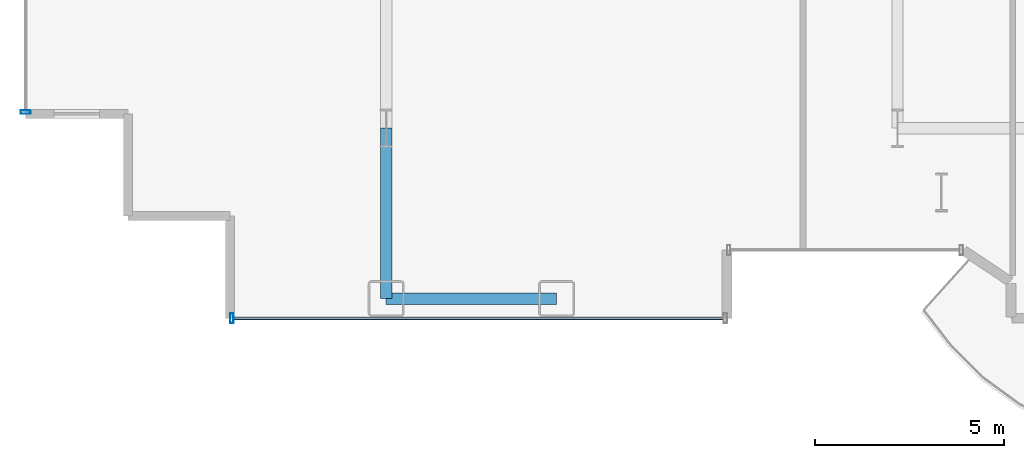
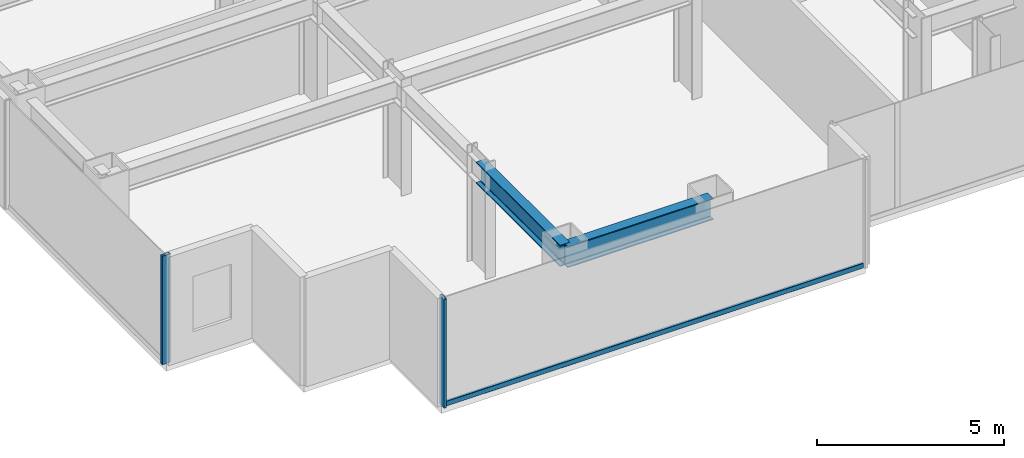
# One storey, part 2 of 29: 3 members, 2 beams, 2 elements without a shape of their own.
"""IFC4 building model written with IfcOpenShell, lengths in metres."""

from ifc_helpers import new_model, si_unit, direction, frame, origin, origin_2d, place, context, subcontext, project, spatial, hollow_rectangle, i_section, extrude, source, transform, mapped, material, layer, layer_set, material_profile, profile_set, type_object, element, aggregate, save


model = new_model("IFC4")

# Units and contexts
model_context = context("Model", 3, precision=1e-05, world=origin(), true_north=direction((0.0, 1.0)))
body_context = subcontext(model_context, "Body", "Model", "MODEL_VIEW")
ifc_project = project(units=[si_unit("LENGTHUNIT", "METRE"), si_unit("AREAUNIT", "SQUARE_METRE"), si_unit("VOLUMEUNIT", "CUBIC_METRE"), si_unit("PLANEANGLEUNIT", "RADIAN"), si_unit("MASSUNIT", "GRAM", prefix="KILO")], contexts=[model_context])

# Site, building, storey
site_placement = place(None, origin())
site = spatial("IfcSite", under=ifc_project, at=site_placement, CompositionType="ELEMENT")
building_placement = place(site_placement, origin())
building = spatial("IfcBuilding", under=site, at=building_placement, Name="Nefas-Gora Pilgrimage Tower", CompositionType="ELEMENT")
storey_placement = place(building_placement, frame((0.0, 0.0, 90.800048828125)))
storey = spatial("IfcBuildingStorey", under=building, at=storey_placement, Name="L21", CompositionType="ELEMENT", Elevation=90.800048828125)

# Beams
ifc_material_1 = material(Name="Steel S355", Category="steel")
ifc_material_profile_1 = material_profile(ifc_material_1, i_section(OverallWidth=0.300048828125, OverallDepth=0.699951171875, WebThickness=0.01708984375, FlangeThickness=0.031982421875, FilletRadius=0.027099609375, at=origin_2d()), Name="HEB 700")
ifc_profile_set_1 = profile_set([ifc_material_profile_1], Name="Steel S355")
beam_type_1 = type_object("IfcBeamType", Name="BM-SPN-HEB600", PredefinedType="SPANDREL", material=ifc_profile_set_1)
shared_shape_1 = source(origin(), body_context, "Body", "SweptSolid", [
    extrude(i_section(OverallWidth=0.300048828125, OverallDepth=0.699951171875, WebThickness=0.01708984375, FlangeThickness=0.031982421875, FilletRadius=0.027099609375, at=origin_2d()), origin(), (0.0, 0.0, 1.0), 4.5),
])
beam_1_placement = place(storey_placement, frame((-24.75, -22.5, 3.199951171875), z_axis=(1.0, 0.0, 0.0), x_axis=(0.0, 1.0, 0.0)))
element("IfcBeam", 1, at=beam_1_placement, inside=storey, type_object=beam_type_1, Name="L21 SP-01 beam", PredefinedType="SPANDREL", context=body_context, shape_type="MappedRepresentation", body=[
    mapped(shared_shape_1, transform((0.0, 0.0, 0.0), x_axis=(1.0, 0.0, 0.0), y_axis=(0.0, 1.0, 0.0), z_axis=(0.0, 0.0, 1.0), scale=1.0)),
])
ifc_material_profile_2 = material_profile(ifc_material_1, i_section(OverallWidth=0.300048828125, OverallDepth=0.699951171875, WebThickness=0.01708984375, FlangeThickness=0.031982421875, FilletRadius=0.027099609375, at=origin_2d()), Name="HEB 700")
ifc_profile_set_2 = profile_set([ifc_material_profile_2], Name="Steel S355")
beam_type_2 = type_object("IfcBeamType", Name="BM-GIR-HEB700", PredefinedType="BEAM", material=ifc_profile_set_2)
shared_shape_2 = source(origin(), body_context, "Body", "SweptSolid", [
    extrude(i_section(OverallWidth=0.300048828125, OverallDepth=0.699951171875, WebThickness=0.01708984375, FlangeThickness=0.031982421875, FilletRadius=0.027099609375, at=origin_2d()), origin(), (0.0, 0.0, 1.0), 4.5),
])
beam_2_placement = place(storey_placement, frame((-24.75, -22.5, 3.199951171875), z_axis=(0.0, 1.0, 0.0), x_axis=(-1.0, 0.0, 0.0)))
element("IfcBeam", 2, at=beam_2_placement, inside=storey, type_object=beam_type_2, Name="L21 G-02 beam", PredefinedType="BEAM", context=body_context, shape_type="MappedRepresentation", body=[
    mapped(shared_shape_2, transform((0.0, 0.0, 0.0), x_axis=(1.0, 0.0, 0.0), y_axis=(0.0, 1.0, 0.0), z_axis=(0.0, 0.0, 1.0), scale=1.0)),
])

# Curtain wall, member
ifc_material_2 = material(Name="Dark ceramic-fritted solar-control aluminium-glass curtain wall", Category="aluminium")
ifc_layer = layer(ifc_material_2, 0.219970703125)
ifc_layer_set = layer_set([ifc_layer], Name="Dark ceramic-fritted solar-control aluminium-glass curtain wall")
curtain_wall_type = type_object("IfcCurtainWallType", Name="CW-SYS-2", PredefinedType="NOTDEFINED", material=ifc_layer_set)
curtain_wall_1_placement = place(storey_placement, origin())
curtain_wall_1 = element("IfcCurtainWall", 3, at=curtain_wall_1_placement, inside=storey, type_object=curtain_wall_type, Name="L21 Unitised Curtain Wall CW2", PredefinedType="NOTDEFINED")
ifc_material_3 = material(Name="Anodised architectural aluminium", Category="aluminium")
ifc_material_profile_3 = material_profile(ifc_material_3, hollow_rectangle(XDim=0.090087890625, YDim=0.260009765625, WallThickness=0.006103515625, InnerFilletRadius=0.006103515625, OuterFilletRadius=0.011962890625, at=origin_2d()), Name="ALU MULLION 90x260")
ifc_profile_set_3 = profile_set([ifc_material_profile_3], Name="Anodised architectural aluminium")
member_type_1 = type_object("IfcMemberType", Name="CWM-MUL-2", PredefinedType="MULLION", material=ifc_profile_set_3)
shared_shape_3 = source(origin(), body_context, "Body", "SweptSolid", [
    extrude(hollow_rectangle(XDim=0.090087890625, YDim=0.260009765625, WallThickness=0.006103515625, InnerFilletRadius=0.006103515625, OuterFilletRadius=0.011962890625, at=origin_2d()), origin(), (0.0, 0.0, 1.0), 3.550048828125),
])
member_1_placement = place(storey_placement, frame((-34.27001953125, -17.574951171875, 0.0), z_axis=(0.0, 0.0, 1.0), x_axis=(0.0, -1.0, 0.0)))
member_1 = element("IfcMember", 4, at=member_1_placement, type_object=member_type_1, Name="CW2 Mullion 2", PredefinedType="MULLION", context=body_context, shape_type="MappedRepresentation", body=[
    mapped(shared_shape_3, transform((0.0, 0.0, 0.0), x_axis=(1.0, 0.0, 0.0), y_axis=(0.0, 1.0, 0.0), z_axis=(0.0, 0.0, 1.0), scale=1.0)),
])
aggregate(curtain_wall_1, [member_1])

# Curtain wall, members
curtain_wall_2_placement = place(storey_placement, origin())
curtain_wall_2 = element("IfcCurtainWall", 5, at=curtain_wall_2_placement, inside=storey, type_object=curtain_wall_type, Name="L21 Unitised Curtain Wall CW2", PredefinedType="NOTDEFINED")
member_2_placement = place(storey_placement, frame((-28.824951171875, -23.02001953125, 0.0), z_axis=(0.0, 0.0, 1.0), x_axis=(1.0, 0.0, 0.0)))
member_2 = element("IfcMember", 6, at=member_2_placement, type_object=member_type_1, Name="CW2 Mullion 1", PredefinedType="MULLION", context=body_context, shape_type="MappedRepresentation", body=[
    mapped(shared_shape_3, transform((0.0, 0.0, 0.0), x_axis=(1.0, 0.0, 0.0), y_axis=(0.0, 1.0, 0.0), z_axis=(0.0, 0.0, 1.0), scale=1.0)),
])
ifc_material_profile_4 = material_profile(ifc_material_3, hollow_rectangle(XDim=0.080078125, YDim=0.159912109375, WallThickness=0.00439453125, InnerFilletRadius=0.00439453125, OuterFilletRadius=0.009033203125, at=origin_2d()), Name="ALU TRANSOM 80x160")
ifc_profile_set_4 = profile_set([ifc_material_profile_4], Name="Anodised architectural aluminium")
member_type_2 = type_object("IfcMemberType", Name="CWM-TRN-2", PredefinedType="USERDEFINED", material=ifc_profile_set_4)
shared_shape_4 = source(origin(), body_context, "Body", "SweptSolid", [
    extrude(hollow_rectangle(XDim=0.080078125, YDim=0.159912109375, WallThickness=0.00439453125, InnerFilletRadius=0.00439453125, OuterFilletRadius=0.009033203125, at=origin_2d()), origin(), (0.0, 0.0, 1.0), 12.93994140625),
])
member_3_placement = place(storey_placement, frame((-28.780029296875, -23.02001953125, 0.050048828125), z_axis=(1.0, 0.0, 0.0), x_axis=(0.0, 1.0, 0.0)))
member_3 = element("IfcMember", 7, at=member_3_placement, type_object=member_type_2, Name="CW2 Spandrel Transom", ObjectType="TRANSOM", PredefinedType="USERDEFINED", context=body_context, shape_type="MappedRepresentation", body=[
    mapped(shared_shape_4, transform((0.0, 0.0, 0.0), x_axis=(1.0, 0.0, 0.0), y_axis=(0.0, 1.0, 0.0), z_axis=(0.0, 0.0, 1.0), scale=1.0)),
])
aggregate(curtain_wall_2, [member_2, member_3])

save(model, "model.ifc")
